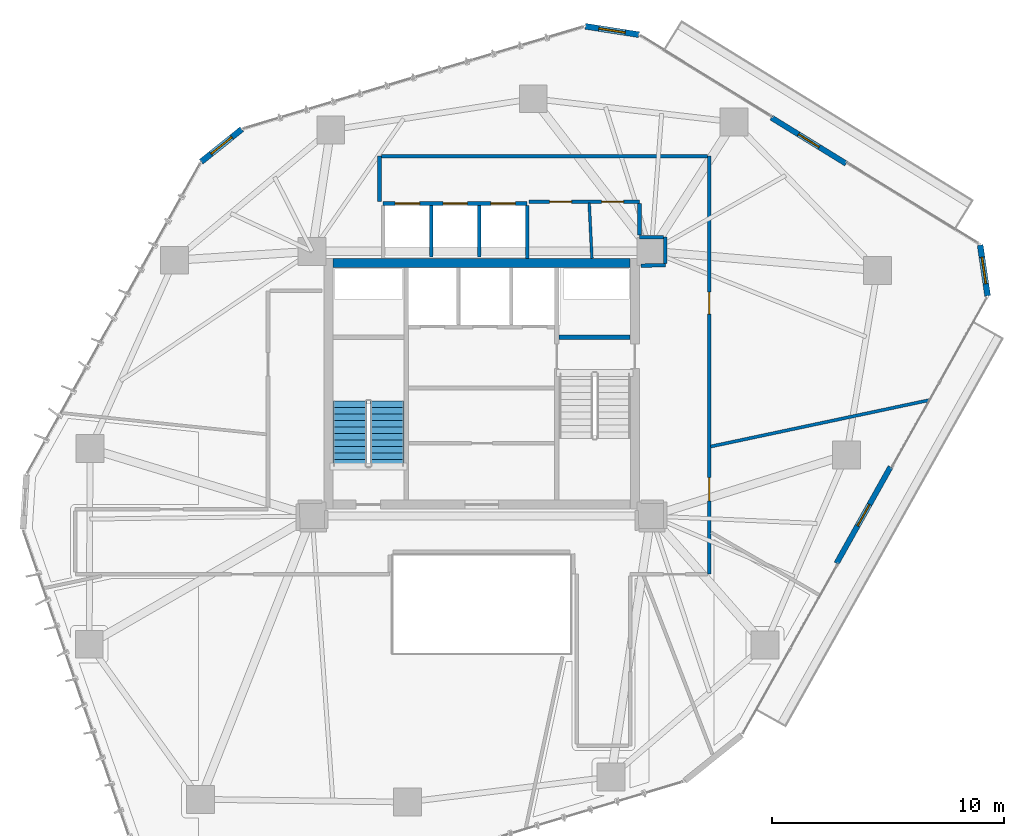
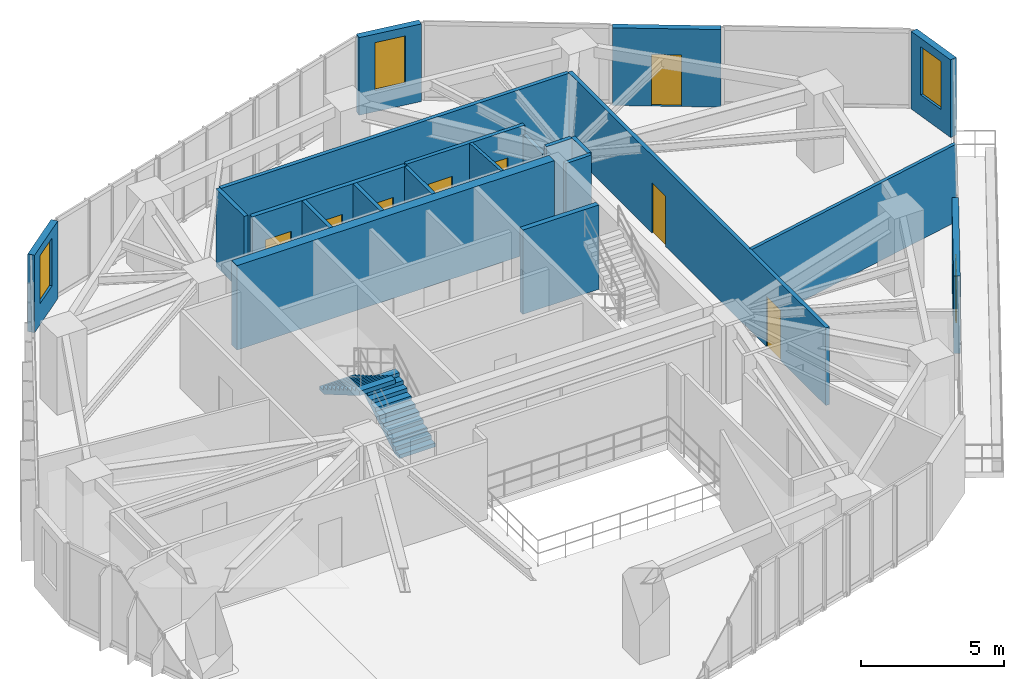
# One storey, part 17 of 21: 21 walls, 9 doors, 3 windows, 2 stair flights, 12 openings, 1 element without a shape of its own.
"""IFC4 building model written with IfcOpenShell, lengths in metres."""

from ifc_helpers import new_model, si_unit, direction, frame, frame_2d, origin, place, context, subcontext, project, spatial, polyline, rectangle, outline, extrude, source, transform, mapped, material, layer, layer_set, type_object, type_shapes, element, fill, aggregate, save


model = new_model("IFC4")

# Units and contexts
model_context = context("Model", 3, precision=1e-05, world=origin(), true_north=direction((0.0, 1.0)))
body_context = subcontext(model_context, "Body", "Model", "MODEL_VIEW")
ifc_project = project(units=[si_unit("LENGTHUNIT", "METRE"), si_unit("AREAUNIT", "SQUARE_METRE"), si_unit("VOLUMEUNIT", "CUBIC_METRE"), si_unit("PLANEANGLEUNIT", "RADIAN"), si_unit("MASSUNIT", "GRAM", prefix="KILO")], contexts=[model_context])

# Site, building, storey
site_placement = place(None, origin())
site = spatial("IfcSite", under=ifc_project, at=site_placement, CompositionType="ELEMENT")
building_placement = place(site_placement, origin())
building = spatial("IfcBuilding", under=site, at=building_placement, Name="Talar Marvaseh", CompositionType="ELEMENT")
storey_placement = place(building_placement, frame((0.0, 0.0, 139.800048828125)))
storey = spatial("IfcBuildingStorey", under=building, at=storey_placement, Name="L36", CompositionType="ELEMENT", Elevation=139.800048828125)

# Wall, opening, window
ifc_material_1 = material(Name="Precast concrete C45/55", Category="concrete")
ifc_layer_1 = layer(ifc_material_1, 0.2548828125)
ifc_layer_set_1 = layer_set([ifc_layer_1], Name="Precast concrete C45/55")
wall_type_1 = type_object("IfcWallType", Name="Chamfered Hexagonal Corner Pier Wall Z2 255", PredefinedType="SOLIDWALL", material=ifc_layer_set_1)
wall_1_placement = place(storey_placement, frame((13.922119140625, 40.755126953125, 0.0), z_axis=(0.0, 0.0, 1.0), x_axis=(0.77989183785, 0.625914308236, 0.0)))
wall_1 = element("IfcWall", 1, at=wall_1_placement, inside=storey, type_object=wall_type_1, Name="L36 Chamfered Corner Limestone Pier 3", PredefinedType="SOLIDWALL", context=body_context, shape_type="SweptSolid", body=[
    extrude(rectangle(XDim=2.2451171875, YDim=0.2548828125, at=frame_2d((1.12255859375, 0.0))), origin(), (0.0, 0.0, 1.0), 3.31005859375),
])
opening_1_placement = place(wall_1_placement, frame((0.548095703125, 0.0, 0.89990234375)))
opening_1 = element("IfcOpeningElement", 2, at=opening_1_placement, cuts=wall_1, Name="Opening WN-CHM11", PredefinedType="OPENING", context=body_context, shape_type="SweptSolid", body=[
    extrude(rectangle(XDim=1.14990234375, YDim=2.050048828125, at=frame_2d((0.574951171875, 1.02490234375))), frame((0.0, 0.137451171875, 0.0), z_axis=(0.0, -1.0, 0.0), x_axis=(1.0, 0.0, 0.0)), (0.0, 0.0, 1.0), 0.27490234375),
])
ifc_material_2 = material(Name="Laminated Low-E Solar Glass", Category="glass")
window_type = type_object("IfcWindowType", Name="Zone 2 Chamfered Corner Slot Window 1150x2050", PartitioningType="SINGLE_PANEL", PredefinedType="WINDOW", material=ifc_material_2)
shared_shape_1 = source(origin(), body_context, "Body", "SweptSolid", [
    extrude(rectangle(XDim=1.14990234375, YDim=2.050048828125, at=frame_2d((0.574951171875, 1.02490234375))), frame((0.0, 0.030029296875, 0.0), z_axis=(0.0, -1.0, 0.0), x_axis=(1.0, 0.0, 0.0)), (0.0, 0.0, 1.0), 0.06005859375),
])
type_shapes(window_type, [shared_shape_1])
window_1_placement = place(opening_1_placement, origin())
window_1 = element("IfcWindow", 3, at=window_1_placement, inside=storey, type_object=window_type, Name="L36 Chamfered Corner Slot Window", OverallHeight=2.050048828125, OverallWidth=1.14990234375, PartitioningType="SINGLE_PANEL", PredefinedType="WINDOW", context=body_context, shape_type="MappedRepresentation", body=[
    mapped(shared_shape_1, transform((0.0, 0.0, 0.0), x_axis=(1.0, 0.0, 0.0), y_axis=(0.0, 1.0, 0.0), z_axis=(0.0, 0.0, 1.0), scale=1.0)),
])
fill(opening_1, window_1)

wall_2_placement = place(storey_placement, frame((30.46240234375, 46.5908203125, 0.0), z_axis=(0.0, 0.0, 1.0), x_axis=(0.988014519275, -0.154360972081, 0.0)))
wall_2 = element("IfcWall", 4, at=wall_2_placement, inside=storey, type_object=wall_type_1, Name="L36 Chamfered Corner Limestone Pier 4", PredefinedType="SOLIDWALL", context=body_context, shape_type="SweptSolid", body=[
    extrude(rectangle(XDim=2.3408203125, YDim=0.2548828125, at=frame_2d((1.17041015625, 0.0))), origin(), (0.0, 0.0, 1.0), 3.31005859375),
])
opening_2_placement = place(wall_2_placement, frame((0.594970703125, 0.0, 0.89990234375)))
opening_2 = element("IfcOpeningElement", 5, at=opening_2_placement, cuts=wall_2, Name="Opening WN-CHM11", PredefinedType="OPENING", context=body_context, shape_type="SweptSolid", body=[
    extrude(rectangle(XDim=1.14990234375, YDim=2.050048828125, at=frame_2d((0.574951171875, 1.02490234375))), frame((0.0, 0.137451171875, 0.0), z_axis=(0.0, -1.0, 0.0), x_axis=(1.0, 0.0, 0.0)), (0.0, 0.0, 1.0), 0.27490234375),
])
window_2_placement = place(opening_2_placement, origin())
window_2 = element("IfcWindow", 6, at=window_2_placement, inside=storey, type_object=window_type, Name="L36 Chamfered Corner Slot Window", OverallHeight=2.050048828125, OverallWidth=1.14990234375, PartitioningType="SINGLE_PANEL", PredefinedType="WINDOW", context=body_context, shape_type="MappedRepresentation", body=[
    mapped(shared_shape_1, transform((0.0, 0.0, 0.0), x_axis=(1.0, 0.0, 0.0), y_axis=(0.0, 1.0, 0.0), z_axis=(0.0, 0.0, 1.0), scale=1.0)),
])
fill(opening_2, window_2)

wall_3_placement = place(storey_placement, frame((47.468505859375, 37.171875, 0.0), z_axis=(0.0, 0.0, 1.0), x_axis=(0.144720281138, -0.989472607113, 0.0)))
wall_3 = element("IfcWall", 7, at=wall_3_placement, inside=storey, type_object=wall_type_1, Name="L36 Chamfered Corner Limestone Pier 5", PredefinedType="SOLIDWALL", context=body_context, shape_type="SweptSolid", body=[
    extrude(rectangle(XDim=2.216796875, YDim=0.2548828125, at=frame_2d((1.1083984375, 0.0))), origin(), (0.0, 0.0, 1.0), 3.31005859375),
])
opening_3_placement = place(wall_3_placement, frame((0.532958984375, 0.0, 0.89990234375)))
opening_3 = element("IfcOpeningElement", 8, at=opening_3_placement, cuts=wall_3, Name="Opening WN-CHM11", PredefinedType="OPENING", context=body_context, shape_type="SweptSolid", body=[
    extrude(rectangle(XDim=1.14990234375, YDim=2.050048828125, at=frame_2d((0.574951171875, 1.02490234375))), frame((0.0, 0.137451171875, 0.0), z_axis=(0.0, -1.0, 0.0), x_axis=(1.0, 0.0, 0.0)), (0.0, 0.0, 1.0), 0.27490234375),
])
window_3_placement = place(opening_3_placement, origin())
window_3 = element("IfcWindow", 9, at=window_3_placement, inside=storey, type_object=window_type, Name="L36 Chamfered Corner Slot Window", OverallHeight=2.050048828125, OverallWidth=1.14990234375, PartitioningType="SINGLE_PANEL", PredefinedType="WINDOW", context=body_context, shape_type="MappedRepresentation", body=[
    mapped(shared_shape_1, transform((0.0, 0.0, 0.0), x_axis=(1.0, 0.0, 0.0), y_axis=(0.0, 1.0, 0.0), z_axis=(0.0, 0.0, 1.0), scale=1.0)),
])
fill(opening_3, window_3)

# Wall, openings, doors
ifc_material_3 = material(Name="Gypsum Board Partition Assembly")
ifc_layer_2 = layer(ifc_material_3, 0.155029296875)
ifc_layer_set_2 = layer_set([ifc_layer_2], Name="Gypsum Board Partition Assembly")
wall_type_2 = type_object("IfcWallType", Name="Corridor Fire-Rated Acoustic Partition 155", PredefinedType="PARTITIONING", material=ifc_layer_set_2)
wall_4_placement = place(storey_placement, frame((32.800048828125, 39.0400390625, 0.0), z_axis=(0.0, 0.0, 1.0), x_axis=(-1.0, 0.0, 0.0)))
wall_4 = element("IfcWall", 10, at=wall_4_placement, inside=storey, type_object=wall_type_2, Name="L36 Interior Partition Wall", PredefinedType="PARTITIONING", context=body_context, shape_type="SweptSolid", body=[
    extrude(rectangle(XDim=4.77001953125, YDim=0.155029296875, at=frame_2d((2.385009765625, 0.0))), origin(), (0.0, 0.0, 1.0), 3.31005859375),
])
opening_4_placement = place(wall_4_placement, frame((0.68115234375, 0.0, 0.0)))
opening_4 = element("IfcOpeningElement", 11, at=opening_4_placement, cuts=wall_4, Name="Opening DR-WC095", PredefinedType="OPENING", context=body_context, shape_type="SweptSolid", body=[
    extrude(rectangle(XDim=0.949951171875, YDim=2.14990234375, at=frame_2d((0.47509765625, 1.074951171875))), frame((0.0, 0.08740234375, 0.0), z_axis=(0.0, -1.0, 0.0), x_axis=(1.0, 0.0, 0.0)), (0.0, 0.0, 1.0), 0.175048828125),
])
opening_5_placement = place(wall_4_placement, frame((2.92626953125, 0.0, 0.0)))
opening_5 = element("IfcOpeningElement", 12, at=opening_5_placement, cuts=wall_4, Name="Opening DR-WC095", PredefinedType="OPENING", context=body_context, shape_type="SweptSolid", body=[
    extrude(rectangle(XDim=0.949951171875, YDim=2.14990234375, at=frame_2d((0.47509765625, 1.074951171875))), frame((0.0, 0.08740234375, 0.0), z_axis=(0.0, -1.0, 0.0), x_axis=(1.0, 0.0, 0.0)), (0.0, 0.0, 1.0), 0.175048828125),
])
ifc_material_4 = material(Name="Acoustic Engineered Oak Timber", Category="wood")
door_type_1 = type_object("IfcDoorType", Name="Washroom and Service Room Door 950x2150", OperationType="NOTDEFINED", PredefinedType="DOOR", material=ifc_material_4)
shared_shape_2 = source(origin(), body_context, "Body", "SweptSolid", [
    extrude(rectangle(XDim=0.949951171875, YDim=2.14990234375, at=frame_2d((0.47509765625, 1.074951171875))), frame((0.0, 0.02490234375, 0.0), z_axis=(0.0, -1.0, 0.0), x_axis=(1.0, 0.0, 0.0)), (0.0, 0.0, 1.0), 0.050048828125),
])
type_shapes(door_type_1, [shared_shape_2])
door_1_placement = place(opening_4_placement, origin())
door_1 = element("IfcDoor", 13, at=door_1_placement, inside=storey, type_object=door_type_1, Name="L36 WC Public Washrooms Door", OperationType="SINGLE_SWING_LEFT", OverallHeight=2.14990234375, OverallWidth=0.949951171875, PredefinedType="DOOR", context=body_context, shape_type="MappedRepresentation", body=[
    mapped(shared_shape_2, transform((0.0, 0.0, 0.0), x_axis=(1.0, 0.0, 0.0), y_axis=(0.0, 1.0, 0.0), z_axis=(0.0, 0.0, 1.0), scale=1.0)),
])
fill(opening_4, door_1)
door_2_placement = place(opening_5_placement, origin())
door_2 = element("IfcDoor", 14, at=door_2_placement, inside=storey, type_object=door_type_1, Name="L36 Accessible WC Door", OperationType="SINGLE_SWING_RIGHT", OverallHeight=2.14990234375, OverallWidth=0.949951171875, PredefinedType="DOOR", context=body_context, shape_type="MappedRepresentation", body=[
    mapped(shared_shape_2, transform((0.0, 0.0, 0.0), x_axis=(1.0, 0.0, 0.0), y_axis=(0.0, 1.0, 0.0), z_axis=(0.0, 0.0, 1.0), scale=1.0)),
])
fill(opening_5, door_2)

wall_5_placement = place(storey_placement, frame((35.800048828125, 41.0, 0.0), z_axis=(0.0, 0.0, 1.0), x_axis=(0.0, -1.0, 0.0)))
wall_5 = element("IfcWall", 15, at=wall_5_placement, inside=storey, type_object=wall_type_2, Name="L36 Interior Partition Wall", PredefinedType="PARTITIONING", context=body_context, shape_type="SweptSolid", body=[
    extrude(rectangle(XDim=18.0, YDim=0.155029296875, at=frame_2d((9.0, 0.0))), origin(), (0.0, 0.0, 1.0), 3.31005859375),
])
opening_6_placement = place(wall_5_placement, frame((13.85009765625, 0.0, 0.0)))
opening_6 = element("IfcOpeningElement", 16, at=opening_6_placement, cuts=wall_5, Name="Opening DR-RM100", PredefinedType="OPENING", context=body_context, shape_type="SweptSolid", body=[
    extrude(rectangle(XDim=1.0, YDim=2.14990234375, at=frame_2d((0.5, 1.074951171875))), frame((0.0, 0.08740234375, 0.0), z_axis=(0.0, -1.0, 0.0), x_axis=(1.0, 0.0, 0.0)), (0.0, 0.0, 1.0), 0.175048828125),
])
opening_7_placement = place(wall_5_placement, frame((5.856201171875, 0.0, 0.0)))
opening_7 = element("IfcOpeningElement", 17, at=opening_7_placement, cuts=wall_5, Name="Opening DR-WC095", PredefinedType="OPENING", context=body_context, shape_type="SweptSolid", body=[
    extrude(rectangle(XDim=0.949951171875, YDim=2.14990234375, at=frame_2d((0.47509765625, 1.074951171875))), frame((0.0, 0.08740234375, 0.0), z_axis=(0.0, -1.0, 0.0), x_axis=(1.0, 0.0, 0.0)), (0.0, 0.0, 1.0), 0.175048828125),
])
door_3_placement = place(opening_7_placement, origin())
door_3 = element("IfcDoor", 18, at=door_3_placement, inside=storey, type_object=door_type_1, Name="L36 Manuscript Folio Archive Room Door", OperationType="SINGLE_SWING_RIGHT", OverallHeight=2.14990234375, OverallWidth=0.949951171875, PredefinedType="DOOR", context=body_context, shape_type="MappedRepresentation", body=[
    mapped(shared_shape_2, transform((0.0, 0.0, 0.0), x_axis=(1.0, 0.0, 0.0), y_axis=(0.0, 1.0, 0.0), z_axis=(0.0, 0.0, 1.0), scale=1.0)),
])
fill(opening_7, door_3)
door_type_2 = type_object("IfcDoorType", Name="Corridor Fire-Rated Gallery Door 1000x2150", OperationType="NOTDEFINED", PredefinedType="DOOR", material=ifc_material_4)
shared_shape_3 = source(origin(), body_context, "Body", "SweptSolid", [
    extrude(rectangle(XDim=1.0, YDim=2.14990234375, at=frame_2d((0.5, 1.074951171875))), frame((0.0, 0.02490234375, 0.0), z_axis=(0.0, -1.0, 0.0), x_axis=(1.0, 0.0, 0.0)), (0.0, 0.0, 1.0), 0.050048828125),
])
type_shapes(door_type_2, [shared_shape_3])
door_4_placement = place(opening_6_placement, origin())
door_4 = element("IfcDoor", 19, at=door_4_placement, inside=storey, type_object=door_type_2, Name="L36 Cultural Fellowship Office Door", OperationType="SINGLE_SWING_LEFT", OverallHeight=2.14990234375, OverallWidth=1.0, PredefinedType="DOOR", context=body_context, shape_type="MappedRepresentation", body=[
    mapped(shared_shape_3, transform((0.0, 0.0, 0.0), x_axis=(1.0, 0.0, 0.0), y_axis=(0.0, 1.0, 0.0), z_axis=(0.0, 0.0, 1.0), scale=1.0)),
])
fill(opening_6, door_4)

# Walls
wall_6_placement = place(storey_placement, frame((32.8701171875, 36.284912109375, 0.0), z_axis=(0.0, 0.0, 1.0), x_axis=(0.999895094683, 0.014484461652, 0.0)))
element("IfcWall", 20, at=wall_6_placement, inside=storey, type_object=wall_type_2, Name="L36 Interior Partition Wall", PredefinedType="PARTITIONING", context=body_context, shape_type="SweptSolid", body=[
    extrude(rectangle(XDim=1.044921875, YDim=0.155029296875, at=frame_2d((0.5224609375, 0.0))), origin(), (0.0, 0.0, 1.0), 3.31005859375),
])
wall_7_placement = place(storey_placement, frame((33.914794921875, 36.383544921875, 0.0), z_axis=(0.0, 0.0, 1.0), x_axis=(-0.003682817312, 0.999993218405, 0.0)))
element("IfcWall", 21, at=wall_7_placement, inside=storey, type_object=wall_type_2, Name="L36 Interior Partition Wall", PredefinedType="PARTITIONING", context=body_context, shape_type="SweptSolid", body=[
    extrude(rectangle(XDim=1.126953125, YDim=0.155029296875, at=frame_2d((0.5634765625, 0.0))), origin(), (0.0, 0.0, 1.0), 3.31005859375),
])
wall_8_placement = place(storey_placement, frame((33.8271484375, 37.510986328125, 0.0), z_axis=(0.0, 0.0, 1.0), x_axis=(-0.99999276797, 0.003803157663, 0.0)))
element("IfcWall", 22, at=wall_8_placement, inside=storey, type_object=wall_type_2, Name="L36 Interior Partition Wall", PredefinedType="PARTITIONING", context=body_context, shape_type="SweptSolid", body=[
    extrude(rectangle(XDim=1.027099609375, YDim=0.155029296875, at=frame_2d((0.513671875, 0.0))), origin(), (0.0, 0.0, 1.0), 3.31005859375),
])
wall_9_placement = place(storey_placement, frame((32.800048828125, 37.598388671875, 0.0), z_axis=(0.0, 0.0, 1.0), x_axis=(0.0, 1.0, 0.0)))
element("IfcWall", 23, at=wall_9_placement, inside=storey, type_object=wall_type_2, Name="L36 Interior Partition Wall", PredefinedType="PARTITIONING", context=body_context, shape_type="SweptSolid", body=[
    extrude(rectangle(XDim=1.358154296875, YDim=0.155029296875, at=frame_2d((0.67919921875, 0.0))), origin(), (0.0, 0.0, 1.0), 2.927001953125),
])
wall_10_placement = place(storey_placement, frame((21.60009765625, 39.0400390625, 0.0), z_axis=(0.0, 0.0, 1.0), x_axis=(0.0, 1.0, 0.0)))
element("IfcWall", 24, at=wall_10_placement, inside=storey, type_object=wall_type_2, Name="L36 Interior Partition Wall", PredefinedType="PARTITIONING", context=body_context, shape_type="SweptSolid", body=[
    extrude(rectangle(XDim=1.9599609375, YDim=0.155029296875, at=frame_2d((0.97998046875, 0.0))), origin(), (0.0, 0.0, 1.0), 3.31005859375),
])
wall_11_placement = place(storey_placement, frame((21.68359375, 41.0, 0.0), z_axis=(0.0, 0.0, 1.0), x_axis=(1.0, 0.0, 0.0)))
element("IfcWall", 25, at=wall_11_placement, inside=storey, type_object=wall_type_2, Name="L36 Interior Partition Wall", PredefinedType="PARTITIONING", context=body_context, shape_type="SweptSolid", body=[
    extrude(rectangle(XDim=14.032958984375, YDim=0.155029296875, at=frame_2d((7.0166015625, 0.0))), origin(), (0.0, 0.0, 1.0), 3.31005859375),
])
ifc_layer_3 = layer(ifc_material_3, 0.1201171875)
ifc_layer_set_3 = layer_set([ifc_layer_3], Name="Gypsum Board Partition Assembly")
wall_type_3 = type_object("IfcWallType", Name="Demountable Studio Room Partition 120", PredefinedType="PARTITIONING", material=ifc_layer_set_3)
wall_12_placement = place(storey_placement, frame((30.75, 36.60009765625, 0.0), z_axis=(0.0, 0.0, 1.0), x_axis=(-0.049077302831, 0.998794983141, 0.0)))
element("IfcWall", 26, at=wall_12_placement, inside=storey, type_object=wall_type_3, Name="L36 Interior Partition Wall", PredefinedType="PARTITIONING", context=body_context, shape_type="SweptSolid", body=[
    extrude(rectangle(XDim=2.3779296875, YDim=0.1201171875, at=frame_2d((1.18896484375, 0.0))), origin(), (0.0, 0.0, 1.0), 3.31005859375),
])
ifc_layer_4 = layer(ifc_material_1, 0.14501953125)
ifc_layer_set_4 = layer_set([ifc_layer_4], Name="Precast concrete C45/55")
wall_type_4 = type_object("IfcWallType", Name="Fire-Rated Lift Divider Wall 145", PredefinedType="SOLIDWALL", material=ifc_layer_set_4)
wall_13_placement = place(storey_placement, frame((27.9599609375, 36.60009765625, 0.0), z_axis=(0.0, 0.0, 1.0), x_axis=(0.0, 1.0, 0.0)))
element("IfcWall", 27, at=wall_13_placement, inside=storey, type_object=wall_type_4, Name="L36 Low-Rise Bank East Wall", PredefinedType="SOLIDWALL", context=body_context, shape_type="SweptSolid", body=[
    extrude(rectangle(XDim=2.266357421875, YDim=0.14501953125, at=frame_2d((1.13330078125, 0.0))), origin(), (0.0, 0.0, 1.0), 3.31005859375),
])
for number, where, z_axis, x_axis, name in (
    (28, (23.830078125, 36.659912109375, 0.0), (0.0, 0.0, 1.0), (0.0, 1.0, 0.0), "L36 PL-L1/PL-L2 Divider"),
    (29, (25.889892578125, 36.659912109375, 0.0), (0.0, 0.0, 1.0), (0.0, 1.0, 0.0), "L36 PL-L2/PL-L3 Divider"),
):
    element("IfcWall", number, at=place(storey_placement, frame(where, z_axis=z_axis, x_axis=x_axis)), inside=storey, type_object=wall_type_4, Name=name, PredefinedType="SOLIDWALL", context=body_context, shape_type="SweptSolid", body=[
        extrude(rectangle(XDim=2.20654296875, YDim=0.14501953125, at=frame_2d((1.103271484375, 0.0))), origin(), (0.0, 0.0, 1.0), 3.31005859375),
    ])

# Wall, openings, doors
ifc_layer_5 = layer(ifc_material_1, 0.175048828125)
ifc_layer_set_5 = layer_set([ifc_layer_5], Name="Precast concrete C45/55")
wall_type_5 = type_object("IfcWallType", Name="Fire-Rated Lift Hoistway Enclosure Wall 175", PredefinedType="SOLIDWALL", material=ifc_layer_set_5)
wall_14_placement = place(storey_placement, frame((21.760009765625, 38.9599609375, 0.0), z_axis=(0.0, 0.0, 1.0), x_axis=(1.0, 0.0, 0.0)))
wall_14 = element("IfcWall", 30, at=wall_14_placement, inside=storey, type_object=wall_type_5, Name="L36 Low-Rise Lift Bank Front Wall", PredefinedType="SOLIDWALL", context=body_context, shape_type="SweptSolid", body=[
    extrude(rectangle(XDim=6.199951171875, YDim=0.175048828125, at=frame_2d((3.10009765625, 0.0))), origin(), (0.0, 0.0, 1.0), 3.31005859375),
])
opening_8_placement = place(wall_14_placement, frame((0.52001953125, 0.0, 0.0)))
opening_8 = element("IfcOpeningElement", 31, at=opening_8_placement, cuts=wall_14, Name="Opening LD-PLL1", PredefinedType="OPENING", context=body_context, shape_type="SweptSolid", body=[
    extrude(rectangle(XDim=1.050048828125, YDim=2.14990234375, at=frame_2d((0.52490234375, 1.074951171875))), frame((0.0, 0.09765625, 0.0), z_axis=(0.0, -1.0, 0.0), x_axis=(1.0, 0.0, 0.0)), (0.0, 0.0, 1.0), 0.195068359375),
])
opening_9_placement = place(wall_14_placement, frame((2.580078125, 0.0, 0.0)))
opening_9 = element("IfcOpeningElement", 32, at=opening_9_placement, cuts=wall_14, Name="Opening LD-PLL2", PredefinedType="OPENING", context=body_context, shape_type="SweptSolid", body=[
    extrude(rectangle(XDim=1.050048828125, YDim=2.14990234375, at=frame_2d((0.52490234375, 1.074951171875))), frame((0.0, 0.09765625, 0.0), z_axis=(0.0, -1.0, 0.0), x_axis=(1.0, 0.0, 0.0)), (0.0, 0.0, 1.0), 0.195068359375),
])
opening_10_placement = place(wall_14_placement, frame((4.639892578125, 0.0, 0.0)))
opening_10 = element("IfcOpeningElement", 33, at=opening_10_placement, cuts=wall_14, Name="Opening LD-PLL3", PredefinedType="OPENING", context=body_context, shape_type="SweptSolid", body=[
    extrude(rectangle(XDim=1.050048828125, YDim=2.14990234375, at=frame_2d((0.52490234375, 1.074951171875))), frame((0.0, 0.09765625, 0.0), z_axis=(0.0, -1.0, 0.0), x_axis=(1.0, 0.0, 0.0)), (0.0, 0.0, 1.0), 0.195068359375),
])
ifc_material_5 = material(Name="Stainless Steel Grade 316", Category="steel")
door_type_3 = type_object("IfcDoorType", Name="Automatic Sliding Lift Landing Door 1050x2150", OperationType="NOTDEFINED", PredefinedType="DOOR", material=ifc_material_5)
shared_shape_4 = source(origin(), body_context, "Body", "SweptSolid", [
    extrude(rectangle(XDim=1.050048828125, YDim=2.14990234375, at=frame_2d((0.52490234375, 1.074951171875))), frame((0.0, 0.02490234375, 0.0), z_axis=(0.0, -1.0, 0.0), x_axis=(1.0, 0.0, 0.0)), (0.0, 0.0, 1.0), 0.050048828125),
])
type_shapes(door_type_3, [shared_shape_4])
door_5_placement = place(opening_8_placement, origin())
door_5 = element("IfcDoor", 34, at=door_5_placement, inside=storey, type_object=door_type_3, Name="L36 Lift PL-L1 Sliding Landing Door", OperationType="SLIDING_TO_LEFT", OverallHeight=2.14990234375, OverallWidth=1.050048828125, PredefinedType="DOOR", context=body_context, shape_type="MappedRepresentation", body=[
    mapped(shared_shape_4, transform((0.0, 0.0, 0.0), x_axis=(1.0, 0.0, 0.0), y_axis=(0.0, 1.0, 0.0), z_axis=(0.0, 0.0, 1.0), scale=1.0)),
])
fill(opening_8, door_5)
door_6_placement = place(opening_9_placement, origin())
door_6 = element("IfcDoor", 35, at=door_6_placement, inside=storey, type_object=door_type_3, Name="L36 Lift PL-L2 Sliding Landing Door", OperationType="SLIDING_TO_LEFT", OverallHeight=2.14990234375, OverallWidth=1.050048828125, PredefinedType="DOOR", context=body_context, shape_type="MappedRepresentation", body=[
    mapped(shared_shape_4, transform((0.0, 0.0, 0.0), x_axis=(1.0, 0.0, 0.0), y_axis=(0.0, 1.0, 0.0), z_axis=(0.0, 0.0, 1.0), scale=1.0)),
])
fill(opening_9, door_6)
door_7_placement = place(opening_10_placement, origin())
door_7 = element("IfcDoor", 36, at=door_7_placement, inside=storey, type_object=door_type_3, Name="L36 Lift PL-L3 Sliding Landing Door", OperationType="SLIDING_TO_LEFT", OverallHeight=2.14990234375, OverallWidth=1.050048828125, PredefinedType="DOOR", context=body_context, shape_type="MappedRepresentation", body=[
    mapped(shared_shape_4, transform((0.0, 0.0, 0.0), x_axis=(1.0, 0.0, 0.0), y_axis=(0.0, 1.0, 0.0), z_axis=(0.0, 0.0, 1.0), scale=1.0)),
])
fill(opening_10, door_7)

# Walls
ifc_layer_6 = layer(ifc_material_3, 0.135009765625)
ifc_layer_set_6 = layer_set([ifc_layer_6], Name="Gypsum Board Partition Assembly")
wall_type_6 = type_object("IfcWallType", Name="Gallery High-Acoustic Partition 135", PredefinedType="PARTITIONING", material=ifc_layer_set_6)
wall_15_placement = place(storey_placement, frame((35.863525390625, 28.493408203125, 0.0), z_axis=(0.0, 0.0, 1.0), x_axis=(0.978186143232, 0.207730279904, 0.0)))
element("IfcWall", 37, at=wall_15_placement, inside=storey, type_object=wall_type_6, Name="L36 Interior Partition Wall", PredefinedType="PARTITIONING", context=body_context, shape_type="SweptSolid", body=[
    extrude(rectangle(XDim=9.61376953125, YDim=0.135009765625, at=frame_2d((4.806884765625, 0.0))), origin(), (0.0, 0.0, 1.0), 3.31005859375),
])
ifc_material_6 = material(Name="Concrete C60/75", Category="concrete")
ifc_layer_7 = layer(ifc_material_6, 0.3798828125)
ifc_layer_set_7 = layer_set([ifc_layer_7], Name="Concrete C60/75")
wall_type_7 = type_object("IfcWallType", Name="Mid Core Reinforced Concrete Shear Wall 380", PredefinedType="SHEAR", material=ifc_layer_set_7)
wall_16_placement = place(storey_placement, frame((19.60009765625, 36.39990234375, 0.0), z_axis=(0.0, 0.0, 1.0), x_axis=(1.0, 0.0, 0.0)))
element("IfcWall", 38, at=wall_16_placement, inside=storey, type_object=wall_type_7, Name="L36 North Core Shear Wall", PredefinedType="SHEAR", context=body_context, shape_type="SweptSolid", body=[
    extrude(rectangle(XDim=12.7998046875, YDim=0.3798828125, at=frame_2d((6.39990234375, 0.0))), origin(), (0.0, 0.0, 1.0), 3.599853515625),
])
ifc_material_7 = material(Name="Concrete C50/60", Category="concrete")
ifc_layer_8 = layer(ifc_material_7, 0.199951171875)
ifc_layer_set_8 = layer_set([ifc_layer_8], Name="Concrete C50/60")
wall_type_8 = type_object("IfcWallType", Name="Stair Shaft Structural Concrete Shear Wall 200", PredefinedType="SHEAR", material=ifc_layer_set_8)
wall_17_placement = place(storey_placement, frame((29.340087890625, 33.199951171875, 0.0), z_axis=(0.0, 0.0, 1.0), x_axis=(1.0, 0.0, 0.0)))
element("IfcWall", 39, at=wall_17_placement, inside=storey, type_object=wall_type_8, Name="L36 Stair ST-2 North Shear Wall", PredefinedType="SHEAR", context=body_context, shape_type="SweptSolid", body=[
    extrude(rectangle(XDim=3.059814453125, YDim=0.199951171875, at=frame_2d((1.52978515625, 0.0))), origin(), (0.0, 0.0, 1.0), 3.599853515625),
])

# Wall, opening, door
ifc_layer_9 = layer(ifc_material_1, 0.235107421875)
ifc_layer_set_9 = layer_set([ifc_layer_9], Name="Precast concrete C45/55")
wall_type_9 = type_object("IfcWallType", Name="Terrace Threshold Glazed Spandrel Wall 235", PredefinedType="SOLIDWALL", material=ifc_layer_set_9)
wall_18_placement = place(storey_placement, frame((38.4765625, 42.657470703125, 0.0), z_axis=(0.0, 0.0, 1.0), x_axis=(0.851762461597, -0.52392815253, 0.0)))
wall_18 = element("IfcWall", 40, at=wall_18_placement, inside=storey, type_object=wall_type_9, Name="L36 Terrace Threshold Wall", PredefinedType="SOLIDWALL", context=body_context, shape_type="SweptSolid", body=[
    extrude(rectangle(XDim=3.782470703125, YDim=0.235107421875, at=frame_2d((1.89111328125, 0.0))), origin(), (0.0, 0.0, 1.0), 3.31005859375),
])
opening_11_placement = place(wall_18_placement, frame((1.365966796875, 0.0, 0.0)))
opening_11 = element("IfcOpeningElement", 41, at=opening_11_placement, cuts=wall_18, Name="Opening DR-TER10", PredefinedType="OPENING", context=body_context, shape_type="SweptSolid", body=[
    extrude(rectangle(XDim=1.050048828125, YDim=2.199951171875, at=frame_2d((0.52490234375, 1.10009765625))), frame((0.0, 0.12744140625, 0.0), z_axis=(0.0, -1.0, 0.0), x_axis=(1.0, 0.0, 0.0)), (0.0, 0.0, 1.0), 0.255126953125),
])
ifc_material_8 = material(Name="Architectural Aluminium", Category="aluminium")
door_type_4 = type_object("IfcDoorType", Name="External Terrace Weatherproof Glazed Door 1050x2200", OperationType="NOTDEFINED", PredefinedType="DOOR", material=ifc_material_8)
shared_shape_5 = source(origin(), body_context, "Body", "SweptSolid", [
    extrude(rectangle(XDim=1.050048828125, YDim=2.199951171875, at=frame_2d((0.52490234375, 1.10009765625))), frame((0.0, 0.02490234375, 0.0), z_axis=(0.0, -1.0, 0.0), x_axis=(1.0, 0.0, 0.0)), (0.0, 0.0, 1.0), 0.050048828125),
])
type_shapes(door_type_4, [shared_shape_5])
door_8_placement = place(opening_11_placement, origin())
door_8 = element("IfcDoor", 42, at=door_8_placement, inside=storey, type_object=door_type_4, Name="L36 External Planted Terrace Access Door", OperationType="SINGLE_SWING_LEFT", OverallHeight=2.199951171875, OverallWidth=1.050048828125, PredefinedType="DOOR", context=body_context, shape_type="MappedRepresentation", body=[
    mapped(shared_shape_5, transform((0.0, 0.0, 0.0), x_axis=(1.0, 0.0, 0.0), y_axis=(0.0, 1.0, 0.0), z_axis=(0.0, 0.0, 1.0), scale=1.0)),
])
fill(opening_11, door_8)

wall_19_placement = place(storey_placement, frame((43.609130859375, 27.614501953125, 0.0), z_axis=(0.0, 0.0, 1.0), x_axis=(-0.488734677795, -0.872432470006, 0.0)))
wall_19 = element("IfcWall", 43, at=wall_19_placement, inside=storey, type_object=wall_type_9, Name="L36 Terrace Threshold Wall", PredefinedType="SOLIDWALL", context=body_context, shape_type="SweptSolid", body=[
    extrude(rectangle(XDim=4.755615234375, YDim=0.235107421875, at=frame_2d((2.3779296875, 0.0))), origin(), (0.0, 0.0, 1.0), 3.31005859375),
])
opening_12_placement = place(wall_19_placement, frame((1.85302734375, 0.0, 0.0)))
opening_12 = element("IfcOpeningElement", 44, at=opening_12_placement, cuts=wall_19, Name="Opening DR-TER10", PredefinedType="OPENING", context=body_context, shape_type="SweptSolid", body=[
    extrude(rectangle(XDim=1.050048828125, YDim=2.199951171875, at=frame_2d((0.52490234375, 1.10009765625))), frame((0.0, 0.12744140625, 0.0), z_axis=(0.0, -1.0, 0.0), x_axis=(1.0, 0.0, 0.0)), (0.0, 0.0, 1.0), 0.255126953125),
])
door_9_placement = place(opening_12_placement, origin())
door_9 = element("IfcDoor", 45, at=door_9_placement, inside=storey, type_object=door_type_4, Name="L36 External Planted Terrace Access Door", OperationType="SINGLE_SWING_RIGHT", OverallHeight=2.199951171875, OverallWidth=1.050048828125, PredefinedType="DOOR", context=body_context, shape_type="MappedRepresentation", body=[
    mapped(shared_shape_5, transform((0.0, 0.0, 0.0), x_axis=(1.0, 0.0, 0.0), y_axis=(0.0, 1.0, 0.0), z_axis=(0.0, 0.0, 1.0), scale=1.0)),
])
fill(opening_12, door_9)

# Stair, stair flights
ifc_material_9 = material(Name="Concrete C40/50", Category="concrete")
stair_type = type_object("IfcStairType", Name="Reinforced Concrete Half-Turn Exit Stair Type B", PredefinedType="HALF_TURN_STAIR", material=ifc_material_9)
stair_placement = place(storey_placement, origin())
stair = element("IfcStair", 46, at=stair_placement, inside=storey, type_object=stair_type, Name="L36 Tower West Core Exit Stair", PredefinedType="HALF_TURN_STAIR")
ifc_layer_10 = layer(ifc_material_9, 0.159912109375)
ifc_layer_set_10 = layer_set([ifc_layer_10], Name="Concrete C40/50")
stair_flight_type = type_object("IfcStairFlightType", Name="Reinforced Concrete Straight Stair Flight 160", PredefinedType="STRAIGHT", material=ifc_layer_set_10)
stair_flight_1_placement = place(storey_placement, frame((21.93505859375, 27.64990234375, 0.0), z_axis=(0.0, 0.0, 1.0), x_axis=(0.0, 1.0, 0.0)))
stair_flight_1 = element("IfcStairFlight", 47, at=stair_flight_1_placement, type_object=stair_flight_type, Name="ST-1 flight 1", NumberOfRisers=11, NumberOfTreads=10, PredefinedType="STRAIGHT", RiserHeight=0.163636364, TreadLength=0.28, context=body_context, shape_type="SweptSolid", body=[
    extrude(outline(polyline([(0.0, 0.0), (0.0, 0.16357421875), (0.280029296875, 0.16357421875), (0.280029296875, 0.327392578125), (0.56005859375, 0.327392578125), (0.56005859375, 0.490966796875), (0.840087890625, 0.490966796875), (0.840087890625, 0.654541015625), (1.1201171875, 0.654541015625), (1.1201171875, 0.818115234375), (1.39990234375, 0.818115234375), (1.39990234375, 0.98193359375), (1.679931640625, 0.98193359375), (1.679931640625, 1.1455078125), (1.9599609375, 1.1455078125), (1.9599609375, 1.30908203125), (2.239990234375, 1.30908203125), (2.239990234375, 1.47265625), (2.52001953125, 1.47265625), (2.52001953125, 1.636474609375), (2.800048828125, 1.636474609375), (2.800048828125, 1.800048828125), (2.800048828125, 1.451171875), (0.31689453125, 0.0), (0.0, 0.0)])), frame((0.0, 0.72509765625, 0.0), z_axis=(0.0, -1.0, 0.0), x_axis=(1.0, 0.0, 0.0)), (0.0, 0.0, 1.0), 1.449951171875),
])
stair_flight_2_placement = place(storey_placement, frame((20.324951171875, 30.449951171875, 1.800048828125), z_axis=(0.0, 0.0, 1.0), x_axis=(0.0, -1.0, 0.0)))
stair_flight_2 = element("IfcStairFlight", 48, at=stair_flight_2_placement, type_object=stair_flight_type, Name="ST-1 flight 2", NumberOfRisers=11, NumberOfTreads=10, PredefinedType="STRAIGHT", RiserHeight=0.163636364, TreadLength=0.28, context=body_context, shape_type="SweptSolid", body=[
    extrude(outline(polyline([(0.0, 0.0), (0.0, 0.16357421875), (0.280029296875, 0.16357421875), (0.280029296875, 0.327392578125), (0.56005859375, 0.327392578125), (0.56005859375, 0.490966796875), (0.840087890625, 0.490966796875), (0.840087890625, 0.654541015625), (1.1201171875, 0.654541015625), (1.1201171875, 0.818115234375), (1.39990234375, 0.818115234375), (1.39990234375, 0.98193359375), (1.679931640625, 0.98193359375), (1.679931640625, 1.1455078125), (1.9599609375, 1.1455078125), (1.9599609375, 1.30908203125), (2.239990234375, 1.30908203125), (2.239990234375, 1.47265625), (2.52001953125, 1.47265625), (2.52001953125, 1.636474609375), (2.800048828125, 1.636474609375), (2.800048828125, 1.800048828125), (2.800048828125, 1.451171875), (0.31689453125, 0.0), (0.0, 0.0)])), frame((0.0, 0.72509765625, 0.0), z_axis=(0.0, -1.0, 0.0), x_axis=(1.0, 0.0, 0.0)), (0.0, 0.0, 1.0), 1.449951171875),
])
aggregate(stair, [stair_flight_1, stair_flight_2])

save(model, "model.ifc")
